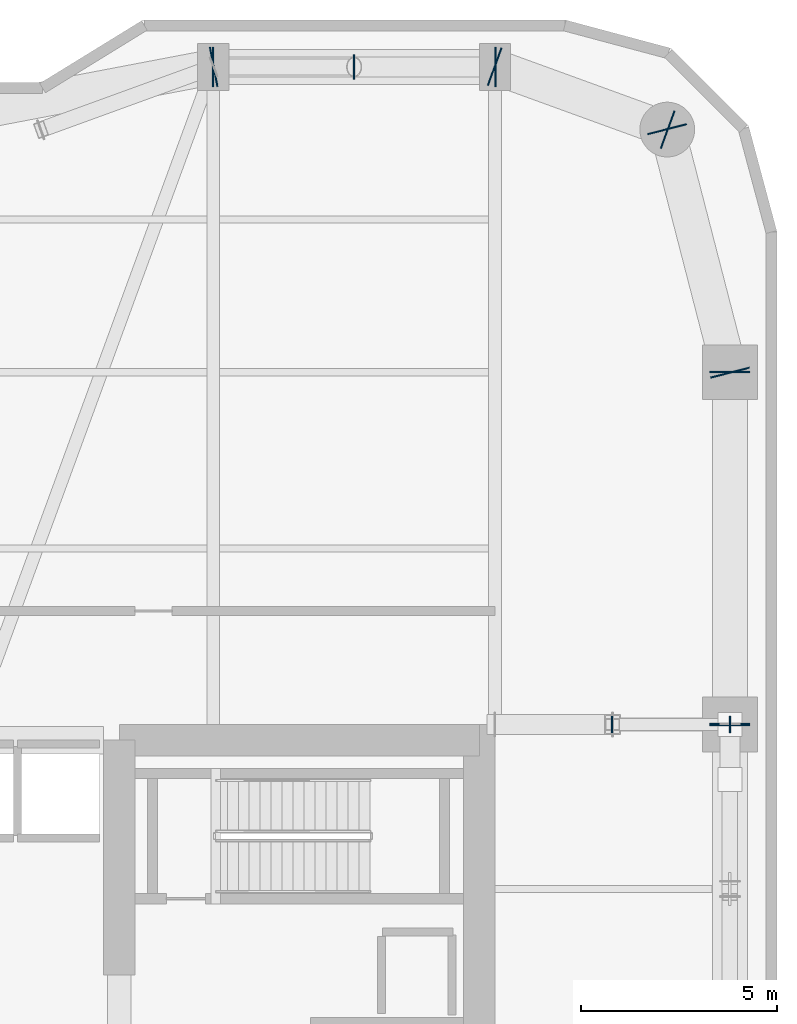
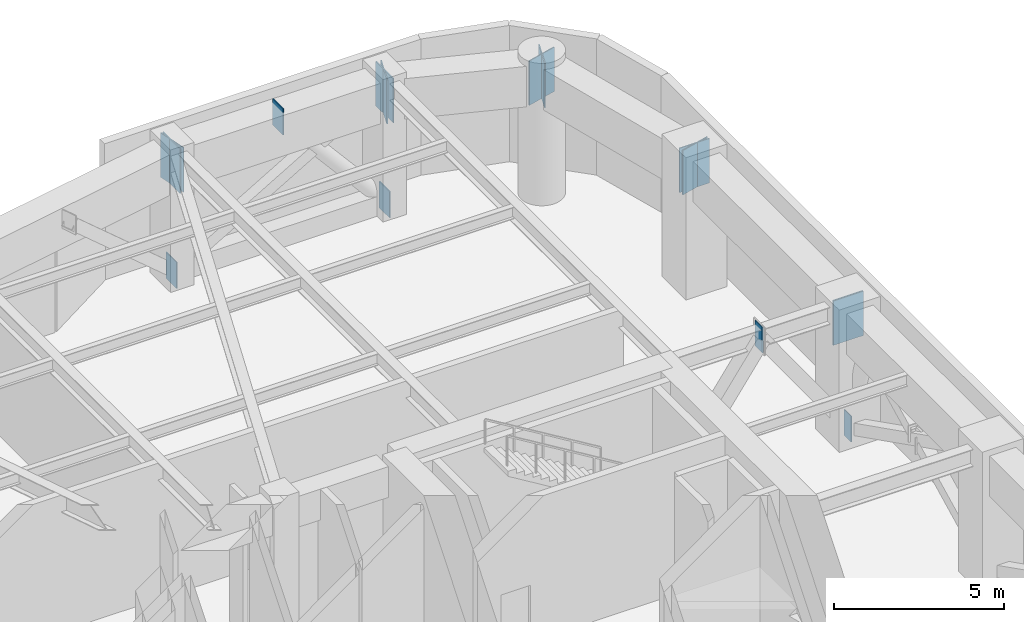
# One storey, part 7 of 16: 15 plates.
"""IFC4 building model written with IfcOpenShell, lengths in metres."""

from ifc_helpers import new_model, si_unit, direction, frame, origin, origin_2d, place, context, subcontext, project, spatial, rectangle, extrude, material, layer, layer_set, type_object, element, save


model = new_model("IFC4")

# Units and contexts
model_context = context("Model", 3, precision=1e-05, world=origin(), true_north=direction((0.0, 1.0)))
body_context = subcontext(model_context, "Body", "Model", "MODEL_VIEW")
ifc_project = project(units=[si_unit("LENGTHUNIT", "METRE"), si_unit("AREAUNIT", "SQUARE_METRE"), si_unit("VOLUMEUNIT", "CUBIC_METRE"), si_unit("PLANEANGLEUNIT", "RADIAN"), si_unit("MASSUNIT", "GRAM", prefix="KILO")], contexts=[model_context])

# Site, building, storey
site_placement = place(None, origin())
site = spatial("IfcSite", under=ifc_project, at=site_placement, CompositionType="ELEMENT")
building_placement = place(site_placement, origin())
building = spatial("IfcBuilding", under=site, at=building_placement, Name="Kiyonajd Concourse Tower", CompositionType="ELEMENT")
storey_placement = place(building_placement, frame((0.0, 0.0, 145.5)))
storey = spatial("IfcBuildingStorey", under=building, at=storey_placement, Name="L37", CompositionType="ELEMENT", Elevation=145.5)

# Plates
ifc_material = material(Name="Steel ASTM A572 Grade 50", Category="steel")
ifc_layer_1 = layer(ifc_material, 0.028076171875)
ifc_layer_set_1 = layer_set([ifc_layer_1], Name="Steel ASTM A572 Grade 50")
plate_type_1 = type_object("IfcPlateType", Name="PL-CAP-450", PredefinedType="USERDEFINED", material=ifc_layer_set_1)
plate_placement = place(storey_placement, frame((59.992919921875, 61.199951171875, 4.076171875), z_axis=(0.0, 0.0, 1.0), x_axis=(-1.0, 0.0, 0.0)))
element("IfcPlate", 1, at=plate_placement, inside=storey, type_object=plate_type_1, Name="L37 Hollow Brace Top Cap Plate PBN", ObjectType="CAP PLATE", PredefinedType="USERDEFINED", context=body_context, shape_type="SweptSolid", body=[
    extrude(rectangle(XDim=0.035888671875, YDim=0.6279296875, at=origin_2d()), origin(), (0.0, 0.0, 1.0), 0.924072265625),
])
ifc_layer_2 = layer(ifc_material, 0.031982421875)
ifc_layer_set_2 = layer_set([ifc_layer_2], Name="Steel ASTM A572 Grade 50")
plate_type_2 = type_object("IfcPlateType", Name="PL-CAP-540", PredefinedType="USERDEFINED", material=ifc_layer_set_2)
for number, where, z_axis, x_axis, name in (
    (2, (66.593505859375, 44.39990234375, 4.080078125), (0.0, 0.0, 1.0), (-1.0, 0.0, 0.0), "L37 Outrigger End Cap Plate 08"),
    (3, (69.6064453125, 44.39990234375, -0.16796875), (0.0, 0.0, 1.0), (1.0, 0.0, 0.0), "L37 Outrigger Far End Cap Plate 08"),
):
    element("IfcPlate", number, at=place(storey_placement, frame(where, z_axis=z_axis, x_axis=x_axis)), inside=storey, type_object=plate_type_2, Name=name, ObjectType="CAP PLATE", PredefinedType="USERDEFINED", context=body_context, shape_type="SweptSolid", body=[
        extrude(rectangle(XDim=0.035888671875, YDim=0.419921875, at=origin_2d()), origin(), (0.0, 0.0, 1.0), 0.91796875),
    ])
for number, where, z_axis, x_axis, name in (
    (4, (56.388916015625, 61.199951171875, -0.169921875), (0.0, 0.0, 1.0), (-1.0, 0.0, 0.0), "L37 Belt Chord Cap Plate"),
    (5, (63.611083984375, 61.199951171875, -0.169921875), (0.0, 0.0, 1.0), (1.0, 0.0, 0.0), "L37 Belt Chord Cap Plate"),
):
    element("IfcPlate", number, at=place(storey_placement, frame(where, z_axis=z_axis, x_axis=x_axis)), inside=storey, type_object=plate_type_2, Name=name, ObjectType="CAP PLATE", PredefinedType="USERDEFINED", context=body_context, shape_type="SweptSolid", body=[
        extrude(rectangle(XDim=0.035888671875, YDim=0.6201171875, at=origin_2d()), origin(), (0.0, 0.0, 1.0), 0.93994140625),
    ])
for number, where, z_axis, x_axis, name in (
    (6, (69.60009765625, 44.410888671875, 3.35986328125), (0.0, 0.0, 1.0), (0.0, 1.0, 0.0), "L37 Welded Box Girder End Cap"),
    (7, (69.60009765625, 44.388916015625, 3.35986328125), (0.0, 0.0, 1.0), (0.0, -1.0, 0.0), "L37 Welded Box Girder End Cap"),
    (8, (69.60009765625, 53.410888671875, 3.35986328125), (0.0, 0.0, 1.0), (0.0, 1.0, 0.0), "L37 Welded Box Girder End Cap"),
    (9, (69.602783203125, 53.389404296875, 3.35986328125), (0.0, 0.0, 1.0), (0.249873048837, -0.968278606324, 0.0), "L37 Welded Box Girder End Cap"),
    (10, (67.997314453125, 59.610595703125, 3.35986328125), (0.0, 0.0, 1.0), (-0.249873048837, 0.968278606324, 0.0), "L37 Welded Box Girder End Cap"),
    (11, (68.01025390625, 59.59619140625, 3.35986328125), (0.0, 0.0, 1.0), (0.939811951086, -0.341692107891, 0.0), "L37 Welded Box Girder End Cap"),
    (12, (63.589599609375, 61.203857421875, 3.35986328125), (0.0, 0.0, 1.0), (-0.939811951086, 0.341692107891, 0.0), "L37 Welded Box Girder End Cap"),
    (13, (63.611083984375, 61.199951171875, 3.35986328125), (0.0, 0.0, 1.0), (1.0, 0.0, 0.0), "L37 Welded Box Girder End Cap"),
    (14, (56.388916015625, 61.199951171875, 3.35986328125), (0.0, 0.0, 1.0), (-1.0, 0.0, 0.0), "L37 Welded Box Girder End Cap"),
    (15, (56.410888671875, 61.2021484375, 3.35986328125), (0.0, 0.0, 1.0), (0.982352599301, 0.187038420242, 0.0), "L37 Welded Box Girder End Cap"),
):
    element("IfcPlate", number, at=place(storey_placement, frame(where, z_axis=z_axis, x_axis=x_axis)), inside=storey, type_object=plate_type_2, Name=name, ObjectType="CAP PLATE", PredefinedType="USERDEFINED", context=body_context, shape_type="SweptSolid", body=[
        extrude(rectangle(XDim=0.035888671875, YDim=1.02001953125, at=origin_2d()), origin(), (0.0, 0.0, 1.0), 1.590087890625),
    ])

save(model, "model.ifc")
